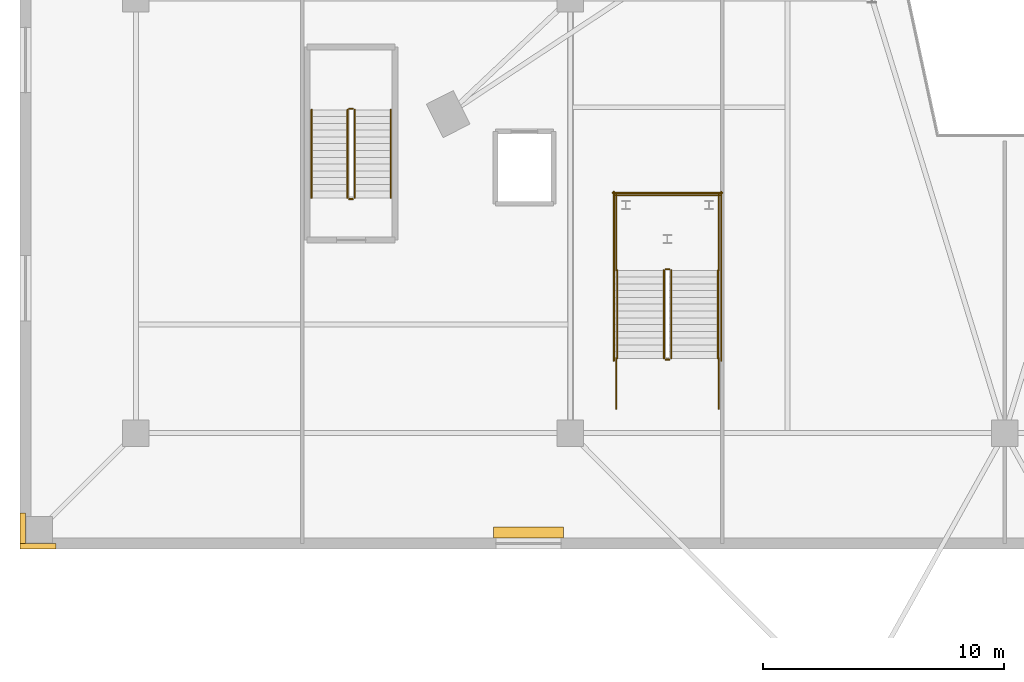
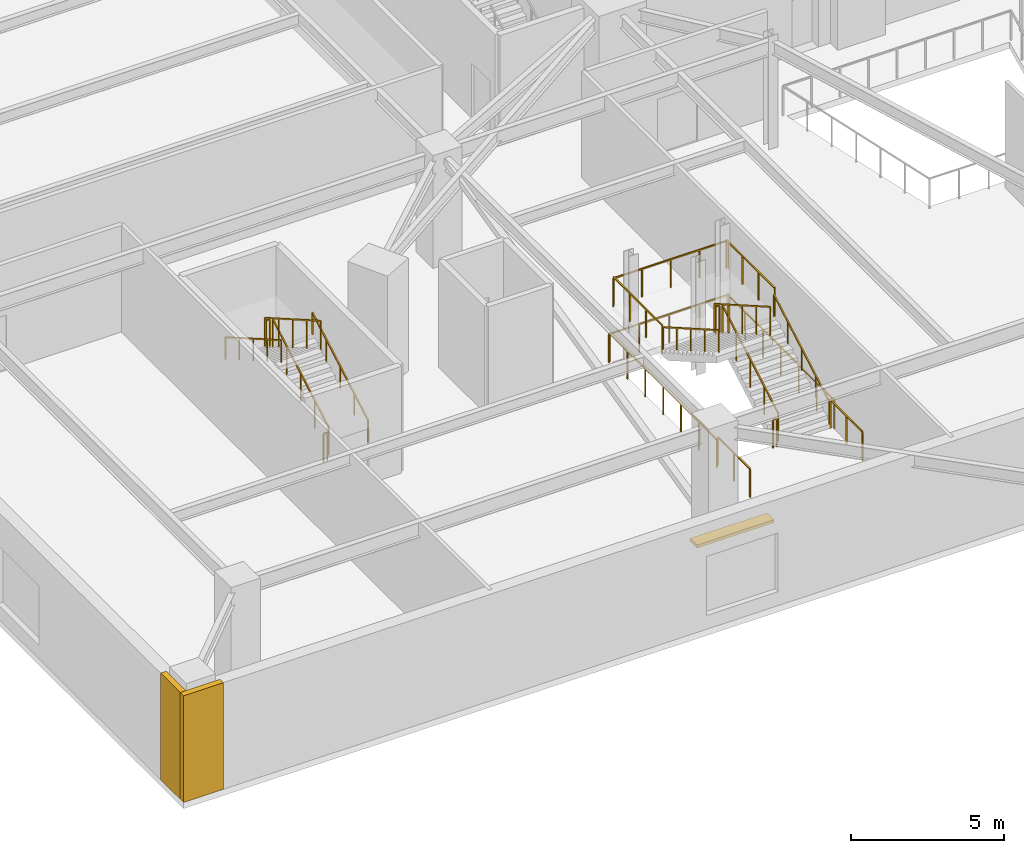
# One storey, part 11 of 16: 20 railings, 2 coverings, 1 shading device.
"""IFC4 building model written with IfcOpenShell, lengths in metres."""

from ifc_helpers import new_model, si_unit, direction, frame, origin, origin_2d, place, context, subcontext, project, spatial, rectangle, extrude, source, transform, mapped, material, layer, layer_set, material_profile, profile_set, type_object, element, save


model = new_model("IFC4")

# Units and contexts
model_context = context("Model", 3, precision=1e-05, world=origin(), true_north=direction((0.0, 1.0)))
body_context = subcontext(model_context, "Body", "Model", "MODEL_VIEW")
ifc_project = project(units=[si_unit("LENGTHUNIT", "METRE"), si_unit("AREAUNIT", "SQUARE_METRE"), si_unit("VOLUMEUNIT", "CUBIC_METRE"), si_unit("PLANEANGLEUNIT", "RADIAN"), si_unit("MASSUNIT", "GRAM", prefix="KILO")], contexts=[model_context])

# Site, building, storey
site_placement = place(None, origin())
site = spatial("IfcSite", under=ifc_project, at=site_placement, CompositionType="ELEMENT")
building_placement = place(site_placement, origin())
building = spatial("IfcBuilding", under=site, at=building_placement, Name="Liaohun Quay Tower", CompositionType="ELEMENT")
storey_placement = place(building_placement, frame((0.0, 0.0, 14.39990234375)))
storey = spatial("IfcBuildingStorey", under=building, at=storey_placement, Name="L04", CompositionType="ELEMENT", Elevation=14.39990234375)

# Railings
ifc_material_1 = material(Name="Laminated safety glass and stainless steel", Category="steel")
railing_type_1 = type_object("IfcRailingType", Name="RLG-GUARD-ATR", PredefinedType="BALUSTRADE", material=ifc_material_1)
railing_1_placement = place(storey_placement, frame((46.179931640625, 27.10009765625, 0.160888671875)))
element("IfcRailing", 1, at=railing_1_placement, inside=storey, type_object=railing_type_1, Name="L04 ST-A stair guard 1", PredefinedType="BALUSTRADE", context=body_context, shape_type="SweptSolid", body=[
    extrude(rectangle(XDim=0.048095703125, YDim=0.048095703125, at=origin_2d()), frame((0.0, 0.0, 1.1259765625), z_axis=(0.0, 0.867300072446, 0.497785681127), x_axis=(-1.0, 0.0, 0.0)), (0.0, 0.0, 1.0), 4.19677734375),
    extrude(rectangle(XDim=0.0419921875, YDim=0.0419921875, at=origin_2d()), origin(), (0.0, 0.0, 1.0), 1.101806640625),
    extrude(rectangle(XDim=0.0419921875, YDim=0.0419921875, at=origin_2d()), frame((0.0, 0.909912109375, 0.522216796875)), (0.0, 0.0, 1.0), 1.101806640625),
    extrude(rectangle(XDim=0.0419921875, YDim=0.0419921875, at=origin_2d()), frame((0.0, 1.81982421875, 1.04443359375)), (0.0, 0.0, 1.0), 1.101806640625),
    extrude(rectangle(XDim=0.0419921875, YDim=0.0419921875, at=origin_2d()), frame((0.0, 2.72998046875, 1.56689453125)), (0.0, 0.0, 1.0), 1.101806640625),
    extrude(rectangle(XDim=0.0419921875, YDim=0.0419921875, at=origin_2d()), frame((0.0, 3.639892578125, 2.089111328125)), (0.0, 0.0, 1.0), 1.101806640625),
])
railing_2_placement = place(storey_placement, frame((46.10009765625, 30.7900390625, 2.25)))
element("IfcRailing", 2, at=railing_2_placement, inside=storey, type_object=railing_type_1, Name="L04 ST-A stair guard 2", PredefinedType="BALUSTRADE", context=body_context, shape_type="SweptSolid", body=[
    extrude(rectangle(XDim=0.048095703125, YDim=0.048095703125, at=origin_2d()), frame((0.0, 0.0, 1.1259765625), z_axis=(-1.0, 0.0, 0.0), x_axis=(0.0, -1.0, 0.0)), (0.0, 0.0, 1.0), 0.14013671875),
    extrude(rectangle(XDim=0.0419921875, YDim=0.0419921875, at=origin_2d()), origin(), (0.0, 0.0, 1.0), 1.101806640625),
    extrude(rectangle(XDim=0.0419921875, YDim=0.0419921875, at=origin_2d()), frame((-0.14013671875, 0.0, 0.0)), (0.0, 0.0, 1.0), 1.101806640625),
])
for number, where, name in (
    (3, (48.14990234375, 30.739990234375, 2.25), "L04 ST-A stair guard 3"),
    (4, (43.909912109375, 30.739990234375, 2.25), "L04 ST-A stair guard 4"),
):
    element("IfcRailing", number, at=place(storey_placement, frame(where)), inside=storey, type_object=railing_type_1, Name=name, PredefinedType="BALUSTRADE", context=body_context, shape_type="SweptSolid", body=[
        extrude(rectangle(XDim=0.048095703125, YDim=0.048095703125, at=origin_2d()), frame((0.0, 0.0, 1.1259765625), z_axis=(0.0, 1.0, 0.0), x_axis=(-1.0, 0.0, 0.0)), (0.0, 0.0, 1.0), 3.159912109375),
        extrude(rectangle(XDim=0.0419921875, YDim=0.0419921875, at=origin_2d()), origin(), (0.0, 0.0, 1.0), 1.101806640625),
        extrude(rectangle(XDim=0.0419921875, YDim=0.0419921875, at=origin_2d()), frame((0.0, 1.05322265625, 0.0)), (0.0, 0.0, 1.0), 1.101806640625),
        extrude(rectangle(XDim=0.0419921875, YDim=0.0419921875, at=origin_2d()), frame((0.0, 2.106689453125, 0.0)), (0.0, 0.0, 1.0), 1.101806640625),
        extrude(rectangle(XDim=0.0419921875, YDim=0.0419921875, at=origin_2d()), frame((0.0, 3.159912109375, 0.0)), (0.0, 0.0, 1.0), 1.101806640625),
    ])
railing_3_placement = place(storey_placement, frame((48.199951171875, 33.85009765625, 2.25)))
element("IfcRailing", 5, at=railing_3_placement, inside=storey, type_object=railing_type_1, Name="L04 ST-A stair guard 5", PredefinedType="BALUSTRADE", context=body_context, shape_type="SweptSolid", body=[
    extrude(rectangle(XDim=0.048095703125, YDim=0.048095703125, at=origin_2d()), frame((0.0, 0.0, 1.1259765625), z_axis=(-1.0, 0.0, 0.0), x_axis=(0.0, -1.0, 0.0)), (0.0, 0.0, 1.0), 4.33984375),
    extrude(rectangle(XDim=0.0419921875, YDim=0.0419921875, at=origin_2d()), origin(), (0.0, 0.0, 1.0), 1.101806640625),
    extrude(rectangle(XDim=0.0419921875, YDim=0.0419921875, at=origin_2d()), frame((-1.0849609375, 0.0, 0.0)), (0.0, 0.0, 1.0), 1.101806640625),
    extrude(rectangle(XDim=0.0419921875, YDim=0.0419921875, at=origin_2d()), frame((-2.169921875, 0.0, 0.0)), (0.0, 0.0, 1.0), 1.101806640625),
    extrude(rectangle(XDim=0.0419921875, YDim=0.0419921875, at=origin_2d()), frame((-3.2548828125, 0.0, 0.0)), (0.0, 0.0, 1.0), 1.101806640625),
    extrude(rectangle(XDim=0.0419921875, YDim=0.0419921875, at=origin_2d()), frame((-4.33984375, 0.0, 0.0)), (0.0, 0.0, 1.0), 1.101806640625),
])
railing_4_placement = place(storey_placement, frame((45.8798828125, 30.739990234375, 2.410888671875)))
element("IfcRailing", 6, at=railing_4_placement, inside=storey, type_object=railing_type_1, Name="L04 ST-A stair guard 6", PredefinedType="BALUSTRADE", context=body_context, shape_type="SweptSolid", body=[
    extrude(rectangle(XDim=0.048095703125, YDim=0.048095703125, at=origin_2d()), frame((0.0, 0.0, 1.1259765625), z_axis=(0.0, -0.867300072446, 0.497785681127), x_axis=(1.0, 0.0, 0.0)), (0.0, 0.0, 1.0), 4.19677734375),
    extrude(rectangle(XDim=0.0419921875, YDim=0.0419921875, at=origin_2d()), origin(), (0.0, 0.0, 1.0), 1.101806640625),
    extrude(rectangle(XDim=0.0419921875, YDim=0.0419921875, at=origin_2d()), frame((0.0, -0.909912109375, 0.522216796875)), (0.0, 0.0, 1.0), 1.101806640625),
    extrude(rectangle(XDim=0.0419921875, YDim=0.0419921875, at=origin_2d()), frame((0.0, -1.81982421875, 1.04443359375)), (0.0, 0.0, 1.0), 1.101806640625),
    extrude(rectangle(XDim=0.0419921875, YDim=0.0419921875, at=origin_2d()), frame((0.0, -2.72998046875, 1.56689453125)), (0.0, 0.0, 1.0), 1.101806640625),
    extrude(rectangle(XDim=0.0419921875, YDim=0.0419921875, at=origin_2d()), frame((0.0, -3.639892578125, 2.089111328125)), (0.0, 0.0, 1.0), 1.101806640625),
])
railing_5_placement = place(storey_placement, frame((46.10009765625, 27.050048828125, 0.0)))
element("IfcRailing", 7, at=railing_5_placement, inside=storey, type_object=railing_type_1, Name="L04 ST-A stair guard 7", PredefinedType="BALUSTRADE", context=body_context, shape_type="SweptSolid", body=[
    extrude(rectangle(XDim=0.048095703125, YDim=0.048095703125, at=origin_2d()), frame((0.0, 0.0, 1.1259765625), z_axis=(-1.0, 0.0, 0.0), x_axis=(0.0, -1.0, 0.0)), (0.0, 0.0, 1.0), 0.14013671875),
    extrude(rectangle(XDim=0.0419921875, YDim=0.0419921875, at=origin_2d()), origin(), (0.0, 0.0, 1.0), 1.101806640625),
    extrude(rectangle(XDim=0.0419921875, YDim=0.0419921875, at=origin_2d()), frame((-0.14013671875, 0.0, 0.0)), (0.0, 0.0, 1.0), 1.101806640625),
])
for number, where, name in (
    (8, (48.14990234375, 25.0, 0.0), "L04 ST-A stair guard 8"),
    (9, (43.909912109375, 25.0, 0.0), "L04 ST-A stair guard 9"),
):
    element("IfcRailing", number, at=place(storey_placement, frame(where)), inside=storey, type_object=railing_type_1, Name=name, PredefinedType="BALUSTRADE", context=body_context, shape_type="SweptSolid", body=[
        extrude(rectangle(XDim=0.048095703125, YDim=0.048095703125, at=origin_2d()), frame((0.0, 0.0, 1.1259765625), z_axis=(0.0, 1.0, 0.0), x_axis=(-1.0, 0.0, 0.0)), (0.0, 0.0, 1.0), 2.10009765625),
        extrude(rectangle(XDim=0.0419921875, YDim=0.0419921875, at=origin_2d()), origin(), (0.0, 0.0, 1.0), 1.101806640625),
        extrude(rectangle(XDim=0.0419921875, YDim=0.0419921875, at=origin_2d()), frame((0.0, 1.050048828125, 0.0)), (0.0, 0.0, 1.0), 1.101806640625),
        extrude(rectangle(XDim=0.0419921875, YDim=0.0419921875, at=origin_2d()), frame((0.0, 2.10009765625, 0.0)), (0.0, 0.0, 1.0), 1.101806640625),
    ])
for number, where, name in (
    (10, (48.25, 27.0, 0.0), "L04 ST-A stair guard 10"),
    (11, (43.81005859375, 27.0, 0.0), "L04 ST-A stair guard 11"),
):
    element("IfcRailing", number, at=place(storey_placement, frame(where)), inside=storey, type_object=railing_type_1, Name=name, PredefinedType="BALUSTRADE", context=body_context, shape_type="SweptSolid", body=[
        extrude(rectangle(XDim=0.048095703125, YDim=0.048095703125, at=origin_2d()), frame((0.0, 0.0, 1.1259765625), z_axis=(0.0, 1.0, 0.0), x_axis=(-1.0, 0.0, 0.0)), (0.0, 0.0, 1.0), 7.0),
        extrude(rectangle(XDim=0.0419921875, YDim=0.0419921875, at=origin_2d()), origin(), (0.0, 0.0, 1.0), 1.101806640625),
        extrude(rectangle(XDim=0.0419921875, YDim=0.0419921875, at=origin_2d()), frame((0.0, 1.166748046875, 0.0)), (0.0, 0.0, 1.0), 1.101806640625),
        extrude(rectangle(XDim=0.0419921875, YDim=0.0419921875, at=origin_2d()), frame((0.0, 2.333251953125, 0.0)), (0.0, 0.0, 1.0), 1.101806640625),
        extrude(rectangle(XDim=0.0419921875, YDim=0.0419921875, at=origin_2d()), frame((0.0, 3.5, 0.0)), (0.0, 0.0, 1.0), 1.101806640625),
        extrude(rectangle(XDim=0.0419921875, YDim=0.0419921875, at=origin_2d()), frame((0.0, 4.666748046875, 0.0)), (0.0, 0.0, 1.0), 1.101806640625),
        extrude(rectangle(XDim=0.0419921875, YDim=0.0419921875, at=origin_2d()), frame((0.0, 5.833251953125, 0.0)), (0.0, 0.0, 1.0), 1.101806640625),
        extrude(rectangle(XDim=0.0419921875, YDim=0.0419921875, at=origin_2d()), frame((0.0, 7.0, 0.0)), (0.0, 0.0, 1.0), 1.101806640625),
    ])
railing_6_placement = place(storey_placement, frame((48.300048828125, 33.949951171875, 0.0)))
element("IfcRailing", 12, at=railing_6_placement, inside=storey, type_object=railing_type_1, Name="L04 ST-A stair guard 12", PredefinedType="BALUSTRADE", context=body_context, shape_type="SweptSolid", body=[
    extrude(rectangle(XDim=0.048095703125, YDim=0.048095703125, at=origin_2d()), frame((0.0, 0.0, 1.1259765625), z_axis=(-1.0, 0.0, 0.0), x_axis=(0.0, -1.0, 0.0)), (0.0, 0.0, 1.0), 4.5400390625),
    extrude(rectangle(XDim=0.0419921875, YDim=0.0419921875, at=origin_2d()), origin(), (0.0, 0.0, 1.0), 1.101806640625),
    extrude(rectangle(XDim=0.0419921875, YDim=0.0419921875, at=origin_2d()), frame((-1.135009765625, 0.0, 0.0)), (0.0, 0.0, 1.0), 1.101806640625),
    extrude(rectangle(XDim=0.0419921875, YDim=0.0419921875, at=origin_2d()), frame((-2.27001953125, 0.0, 0.0)), (0.0, 0.0, 1.0), 1.101806640625),
    extrude(rectangle(XDim=0.0419921875, YDim=0.0419921875, at=origin_2d()), frame((-3.405029296875, 0.0, 0.0)), (0.0, 0.0, 1.0), 1.101806640625),
    extrude(rectangle(XDim=0.0419921875, YDim=0.0419921875, at=origin_2d()), frame((-4.5400390625, 0.0, 0.0)), (0.0, 0.0, 1.0), 1.101806640625),
])
ifc_material_2 = material(Name="Painted tubular steel", Category="steel")
railing_type_2 = type_object("IfcRailingType", Name="RLG-GUARD-STR", PredefinedType="GUARDRAIL", material=ifc_material_2)
railing_7_placement = place(storey_placement, frame((33.070068359375, 33.75, 0.160888671875)))
element("IfcRailing", 13, at=railing_7_placement, inside=storey, type_object=railing_type_2, Name="L04 ST-P1 stair guard 1", PredefinedType="GUARDRAIL", context=body_context, shape_type="SweptSolid", body=[
    extrude(rectangle(XDim=0.048095703125, YDim=0.048095703125, at=origin_2d()), frame((0.0, 0.0, 1.1259765625), z_axis=(0.0, 0.867300072446, 0.497785681127), x_axis=(-1.0, 0.0, 0.0)), (0.0, 0.0, 1.0), 4.19677734375),
    extrude(rectangle(XDim=0.0419921875, YDim=0.0419921875, at=origin_2d()), origin(), (0.0, 0.0, 1.0), 1.101806640625),
    extrude(rectangle(XDim=0.0419921875, YDim=0.0419921875, at=origin_2d()), frame((0.0, 0.909912109375, 0.522216796875)), (0.0, 0.0, 1.0), 1.101806640625),
    extrude(rectangle(XDim=0.0419921875, YDim=0.0419921875, at=origin_2d()), frame((0.0, 1.81982421875, 1.04443359375)), (0.0, 0.0, 1.0), 1.101806640625),
    extrude(rectangle(XDim=0.0419921875, YDim=0.0419921875, at=origin_2d()), frame((0.0, 2.72998046875, 1.56689453125)), (0.0, 0.0, 1.0), 1.101806640625),
    extrude(rectangle(XDim=0.0419921875, YDim=0.0419921875, at=origin_2d()), frame((0.0, 3.639892578125, 2.089111328125)), (0.0, 0.0, 1.0), 1.101806640625),
])
railing_8_placement = place(storey_placement, frame((32.989990234375, 37.43994140625, 2.25)))
element("IfcRailing", 14, at=railing_8_placement, inside=storey, type_object=railing_type_2, Name="L04 ST-P1 stair guard 2", PredefinedType="GUARDRAIL", context=body_context, shape_type="SweptSolid", body=[
    extrude(rectangle(XDim=0.048095703125, YDim=0.048095703125, at=origin_2d()), frame((0.0, 0.0, 1.1259765625), z_axis=(-1.0, 0.0, 0.0), x_axis=(0.0, -1.0, 0.0)), (0.0, 0.0, 1.0), 0.139892578125),
    extrude(rectangle(XDim=0.0419921875, YDim=0.0419921875, at=origin_2d()), origin(), (0.0, 0.0, 1.0), 1.101806640625),
    extrude(rectangle(XDim=0.0419921875, YDim=0.0419921875, at=origin_2d()), frame((-0.139892578125, 0.0, 0.0)), (0.0, 0.0, 1.0), 1.101806640625),
])
railing_9_placement = place(storey_placement, frame((32.77001953125, 37.389892578125, 2.410888671875)))
element("IfcRailing", 15, at=railing_9_placement, inside=storey, type_object=railing_type_2, Name="L04 ST-P1 stair guard 3", PredefinedType="GUARDRAIL", context=body_context, shape_type="SweptSolid", body=[
    extrude(rectangle(XDim=0.048095703125, YDim=0.048095703125, at=origin_2d()), frame((0.0, 0.0, 1.1259765625), z_axis=(0.0, -0.867300072446, 0.497785681127), x_axis=(1.0, 0.0, 0.0)), (0.0, 0.0, 1.0), 4.19677734375),
    extrude(rectangle(XDim=0.0419921875, YDim=0.0419921875, at=origin_2d()), origin(), (0.0, 0.0, 1.0), 1.101806640625),
    extrude(rectangle(XDim=0.0419921875, YDim=0.0419921875, at=origin_2d()), frame((0.0, -0.909912109375, 0.522216796875)), (0.0, 0.0, 1.0), 1.101806640625),
    extrude(rectangle(XDim=0.0419921875, YDim=0.0419921875, at=origin_2d()), frame((0.0, -1.81982421875, 1.04443359375)), (0.0, 0.0, 1.0), 1.101806640625),
    extrude(rectangle(XDim=0.0419921875, YDim=0.0419921875, at=origin_2d()), frame((0.0, -2.72998046875, 1.56689453125)), (0.0, 0.0, 1.0), 1.101806640625),
    extrude(rectangle(XDim=0.0419921875, YDim=0.0419921875, at=origin_2d()), frame((0.0, -3.639892578125, 2.089111328125)), (0.0, 0.0, 1.0), 1.101806640625),
])
railing_10_placement = place(storey_placement, frame((32.989990234375, 33.699951171875, 0.0)))
element("IfcRailing", 16, at=railing_10_placement, inside=storey, type_object=railing_type_2, Name="L04 ST-P1 stair guard 4", PredefinedType="GUARDRAIL", context=body_context, shape_type="SweptSolid", body=[
    extrude(rectangle(XDim=0.048095703125, YDim=0.048095703125, at=origin_2d()), frame((0.0, 0.0, 1.1259765625), z_axis=(-1.0, 0.0, 0.0), x_axis=(0.0, -1.0, 0.0)), (0.0, 0.0, 1.0), 0.139892578125),
    extrude(rectangle(XDim=0.0419921875, YDim=0.0419921875, at=origin_2d()), origin(), (0.0, 0.0, 1.0), 1.101806640625),
    extrude(rectangle(XDim=0.0419921875, YDim=0.0419921875, at=origin_2d()), frame((-0.139892578125, 0.0, 0.0)), (0.0, 0.0, 1.0), 1.101806640625),
])
ifc_material_3 = material(Name="Brushed stainless steel", Category="steel")
railing_type_3 = type_object("IfcRailingType", Name="RLG-HND-STR", PredefinedType="HANDRAIL", material=ifc_material_3)
railing_11_placement = place(storey_placement, frame((34.56005859375, 33.75, 0.160888671875)))
element("IfcRailing", 17, at=railing_11_placement, inside=storey, type_object=railing_type_3, Name="L04 ST-P1 stair handrail 1", PredefinedType="HANDRAIL", context=body_context, shape_type="SweptSolid", body=[
    extrude(rectangle(XDim=0.048095703125, YDim=0.048095703125, at=origin_2d()), frame((0.0, 0.0, 0.8759765625), z_axis=(0.0, 0.867300072446, 0.497785681127), x_axis=(-1.0, 0.0, 0.0)), (0.0, 0.0, 1.0), 4.19677734375),
    extrude(rectangle(XDim=0.0419921875, YDim=0.0419921875, at=origin_2d()), origin(), (0.0, 0.0, 1.0), 0.851806640625),
    extrude(rectangle(XDim=0.0419921875, YDim=0.0419921875, at=origin_2d()), frame((0.0, 0.909912109375, 0.522216796875)), (0.0, 0.0, 1.0), 0.851806640625),
    extrude(rectangle(XDim=0.0419921875, YDim=0.0419921875, at=origin_2d()), frame((0.0, 1.81982421875, 1.04443359375)), (0.0, 0.0, 1.0), 0.851806640625),
    extrude(rectangle(XDim=0.0419921875, YDim=0.0419921875, at=origin_2d()), frame((0.0, 2.72998046875, 1.56689453125)), (0.0, 0.0, 1.0), 0.851806640625),
    extrude(rectangle(XDim=0.0419921875, YDim=0.0419921875, at=origin_2d()), frame((0.0, 3.639892578125, 2.089111328125)), (0.0, 0.0, 1.0), 0.851806640625),
])
railing_12_placement = place(storey_placement, frame((31.280029296875, 37.389892578125, 2.410888671875)))
element("IfcRailing", 18, at=railing_12_placement, inside=storey, type_object=railing_type_3, Name="L04 ST-P1 stair handrail 2", PredefinedType="HANDRAIL", context=body_context, shape_type="SweptSolid", body=[
    extrude(rectangle(XDim=0.048095703125, YDim=0.048095703125, at=origin_2d()), frame((0.0, 0.0, 0.8759765625), z_axis=(0.0, -0.867300072446, 0.497785681127), x_axis=(1.0, 0.0, 0.0)), (0.0, 0.0, 1.0), 4.19677734375),
    extrude(rectangle(XDim=0.0419921875, YDim=0.0419921875, at=origin_2d()), origin(), (0.0, 0.0, 1.0), 0.851806640625),
    extrude(rectangle(XDim=0.0419921875, YDim=0.0419921875, at=origin_2d()), frame((0.0, -0.909912109375, 0.522216796875)), (0.0, 0.0, 1.0), 0.851806640625),
    extrude(rectangle(XDim=0.0419921875, YDim=0.0419921875, at=origin_2d()), frame((0.0, -1.81982421875, 1.04443359375)), (0.0, 0.0, 1.0), 0.851806640625),
    extrude(rectangle(XDim=0.0419921875, YDim=0.0419921875, at=origin_2d()), frame((0.0, -2.72998046875, 1.56689453125)), (0.0, 0.0, 1.0), 0.851806640625),
    extrude(rectangle(XDim=0.0419921875, YDim=0.0419921875, at=origin_2d()), frame((0.0, -3.639892578125, 2.089111328125)), (0.0, 0.0, 1.0), 0.851806640625),
])
railing_13_placement = place(storey_placement, frame((48.1201171875, 27.10009765625, 0.160888671875)))
element("IfcRailing", 19, at=railing_13_placement, inside=storey, type_object=railing_type_3, Name="L04 ST-A stair handrail 1", PredefinedType="HANDRAIL", context=body_context, shape_type="SweptSolid", body=[
    extrude(rectangle(XDim=0.048095703125, YDim=0.048095703125, at=origin_2d()), frame((0.0, 0.0, 0.8759765625), z_axis=(0.0, 0.867300072446, 0.497785681127), x_axis=(-1.0, 0.0, 0.0)), (0.0, 0.0, 1.0), 4.19677734375),
    extrude(rectangle(XDim=0.0419921875, YDim=0.0419921875, at=origin_2d()), origin(), (0.0, 0.0, 1.0), 0.851806640625),
    extrude(rectangle(XDim=0.0419921875, YDim=0.0419921875, at=origin_2d()), frame((0.0, 0.909912109375, 0.522216796875)), (0.0, 0.0, 1.0), 0.851806640625),
    extrude(rectangle(XDim=0.0419921875, YDim=0.0419921875, at=origin_2d()), frame((0.0, 1.81982421875, 1.04443359375)), (0.0, 0.0, 1.0), 0.851806640625),
    extrude(rectangle(XDim=0.0419921875, YDim=0.0419921875, at=origin_2d()), frame((0.0, 2.72998046875, 1.56689453125)), (0.0, 0.0, 1.0), 0.851806640625),
    extrude(rectangle(XDim=0.0419921875, YDim=0.0419921875, at=origin_2d()), frame((0.0, 3.639892578125, 2.089111328125)), (0.0, 0.0, 1.0), 0.851806640625),
])
railing_14_placement = place(storey_placement, frame((43.93994140625, 30.739990234375, 2.410888671875)))
element("IfcRailing", 20, at=railing_14_placement, inside=storey, type_object=railing_type_3, Name="L04 ST-A stair handrail 2", PredefinedType="HANDRAIL", context=body_context, shape_type="SweptSolid", body=[
    extrude(rectangle(XDim=0.048095703125, YDim=0.048095703125, at=origin_2d()), frame((0.0, 0.0, 0.8759765625), z_axis=(0.0, -0.867300072446, 0.497785681127), x_axis=(1.0, 0.0, 0.0)), (0.0, 0.0, 1.0), 4.19677734375),
    extrude(rectangle(XDim=0.0419921875, YDim=0.0419921875, at=origin_2d()), origin(), (0.0, 0.0, 1.0), 0.851806640625),
    extrude(rectangle(XDim=0.0419921875, YDim=0.0419921875, at=origin_2d()), frame((0.0, -0.909912109375, 0.522216796875)), (0.0, 0.0, 1.0), 0.851806640625),
    extrude(rectangle(XDim=0.0419921875, YDim=0.0419921875, at=origin_2d()), frame((0.0, -1.81982421875, 1.04443359375)), (0.0, 0.0, 1.0), 0.851806640625),
    extrude(rectangle(XDim=0.0419921875, YDim=0.0419921875, at=origin_2d()), frame((0.0, -2.72998046875, 1.56689453125)), (0.0, 0.0, 1.0), 0.851806640625),
    extrude(rectangle(XDim=0.0419921875, YDim=0.0419921875, at=origin_2d()), frame((0.0, -3.639892578125, 2.089111328125)), (0.0, 0.0, 1.0), 0.851806640625),
])

# Coverings
ifc_material_4 = material(Name="Bush-hammered Liaodong grey granite stone cladding", Category="masonry")
ifc_layer = layer(ifc_material_4, 0.0400390625, Name="Bush-hammered Liaodong grey granite stone cladding", Category="masonry")
ifc_layer_set = layer_set([ifc_layer], Name="Bush-hammered Liaodong grey granite stone cladding")
covering_type = type_object("IfcCoveringType", Name="COV-EXT-CLD", PredefinedType="CLADDING", material=ifc_layer_set)
shared_shape_1 = source(origin(), body_context, "Body", "SweptSolid", [
    extrude(rectangle(XDim=1.5, YDim=0.219970703125, at=origin_2d()), origin(), (0.0, 0.0, 1.0), 4.25),
])
covering_1_placement = place(storey_placement, frame((19.949951171875, 19.31005859375, 0.0), z_axis=(0.0, 0.0, 1.0), x_axis=(1.0, 0.0, 0.0)))
element("IfcCovering", 21, at=covering_1_placement, inside=storey, type_object=covering_type, Name="L04 Corner Granite Pier Cladding SW-X", PredefinedType="CLADDING", context=body_context, shape_type="MappedRepresentation", body=[
    mapped(shared_shape_1, transform((0.0, 0.0, 0.0), x_axis=(1.0, 0.0, 0.0), y_axis=(0.0, 1.0, 0.0), z_axis=(0.0, 0.0, 1.0), scale=1.0)),
])
shared_shape_2 = source(origin(), body_context, "Body", "SweptSolid", [
    extrude(rectangle(XDim=0.219970703125, YDim=1.280029296875, at=origin_2d()), origin(), (0.0, 0.0, 1.0), 4.25),
])
covering_2_placement = place(storey_placement, frame((19.31005859375, 20.06005859375, 0.0), z_axis=(0.0, 0.0, 1.0), x_axis=(1.0, 0.0, 0.0)))
element("IfcCovering", 22, at=covering_2_placement, inside=storey, type_object=covering_type, Name="L04 Corner Granite Pier Cladding SW-Y", PredefinedType="CLADDING", context=body_context, shape_type="MappedRepresentation", body=[
    mapped(shared_shape_2, transform((0.0, 0.0, 0.0), x_axis=(1.0, 0.0, 0.0), y_axis=(0.0, 1.0, 0.0), z_axis=(0.0, 0.0, 1.0), scale=1.0)),
])

# Shading device
ifc_material_5 = material(Name="Precast concrete C50", Category="concrete")
ifc_material_profile = material_profile(ifc_material_5, rectangle(XDim=0.449951171875, YDim=0.1201171875, at=origin_2d()), Name="PRC-SUN-450x120")
ifc_profile_set = profile_set([ifc_material_profile], Name="Precast concrete C50")
shading_device_type = type_object("IfcShadingDeviceType", Name="SHD-SUN-POD", PredefinedType="SHUTTER", material=ifc_profile_set)
shared_shape_3 = source(origin(), body_context, "Body", "SweptSolid", [
    extrude(rectangle(XDim=0.449951171875, YDim=0.1201171875, at=origin_2d()), origin(), (0.0, 0.0, 1.0), 2.89990234375),
])
shading_device_placement = place(storey_placement, frame((38.820068359375, 19.8798828125, 3.050048828125), z_axis=(1.0, 0.0, 0.0), x_axis=(0.0, 1.0, 0.0)))
element("IfcShadingDevice", 23, at=shading_device_placement, inside=storey, type_object=shading_device_type, Name="L04 Precast Window Thermal Hood SN-1-04-02", PredefinedType="SHUTTER", context=body_context, shape_type="MappedRepresentation", body=[
    mapped(shared_shape_3, transform((0.0, 0.0, 0.0), x_axis=(1.0, 0.0, 0.0), y_axis=(0.0, 1.0, 0.0), z_axis=(0.0, 0.0, 1.0), scale=1.0)),
])

save(model, "model.ifc")
